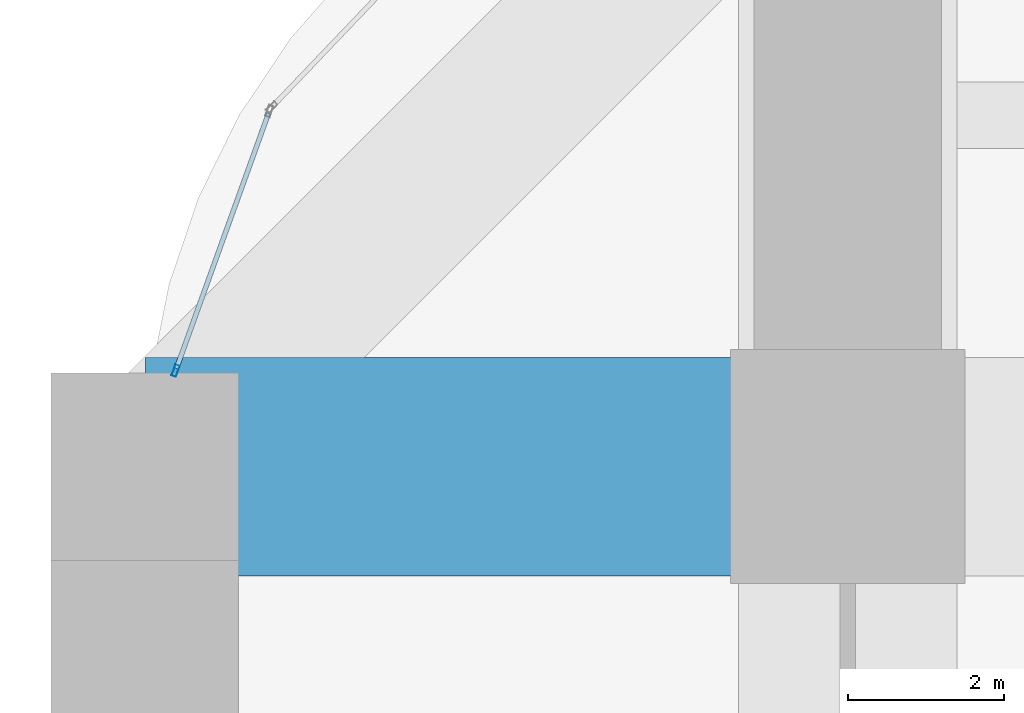
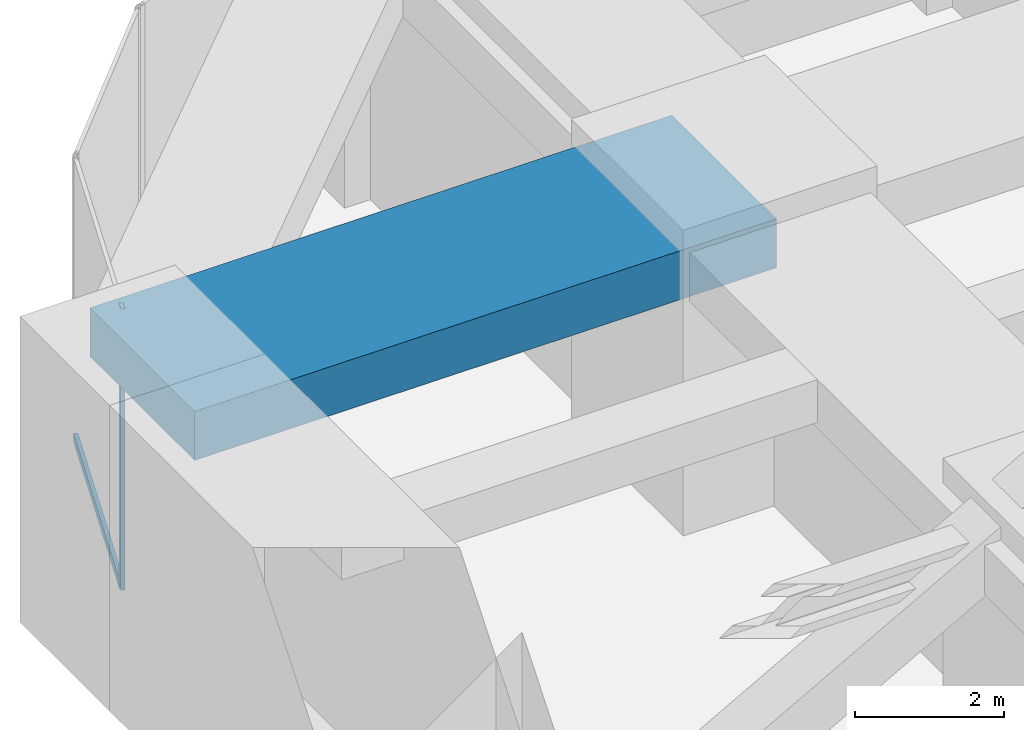
# One storey, part 21 of 35: 2 members, 1 beam, 1 element without a shape of its own.
"""IFC4 building model written with IfcOpenShell, lengths in metres."""

from ifc_helpers import new_model, si_unit, direction, frame, origin, origin_2d, place, context, subcontext, project, spatial, rectangle, hollow_rectangle, extrude, material, material_profile, profile_set, type_object, element, aggregate, save


model = new_model("IFC4")

# Units and contexts
model_context = context("Model", 3, precision=1e-05, world=origin(), true_north=direction((0.0, 1.0)))
body_context = subcontext(model_context, "Body", "Model", "MODEL_VIEW")
ifc_project = project(units=[si_unit("LENGTHUNIT", "METRE"), si_unit("AREAUNIT", "SQUARE_METRE"), si_unit("VOLUMEUNIT", "CUBIC_METRE"), si_unit("PLANEANGLEUNIT", "RADIAN"), si_unit("MASSUNIT", "GRAM", prefix="KILO")], contexts=[model_context])

# Site, building, storey
site_placement = place(None, origin())
site = spatial("IfcSite", under=ifc_project, at=site_placement, CompositionType="ELEMENT")
building_placement = place(site_placement, origin())
building = spatial("IfcBuilding", under=site, at=building_placement, Name="Zorevar Civic Tower", CompositionType="ELEMENT")
storey_placement = place(building_placement, frame((0.0, 0.0, 80.0)))
storey = spatial("IfcBuildingStorey", under=building, at=storey_placement, Name="L19", CompositionType="ELEMENT", Elevation=80.0)

# Beam
ifc_material_1 = material(Name="Concrete C50/60", Category="concrete")
ifc_material_profile_1 = material_profile(ifc_material_1, rectangle(XDim=2.800048828125, YDim=0.800048828125, at=origin_2d()), Name="RC 2800x800")
ifc_profile_set_1 = profile_set([ifc_material_profile_1], Name="Concrete C50/60")
beam_type = type_object("IfcBeamType", Name="Beam RC 2800x800", PredefinedType="BEAM", material=ifc_profile_set_1)
beam_placement = place(storey_placement, frame((0.0, 45.0, 4.199951171875), z_axis=(1.0, 0.0, 0.0), x_axis=(0.0, 1.0, 0.0)))
element("IfcBeam", 1, at=beam_placement, inside=storey, type_object=beam_type, Name="Girder L20", PredefinedType="BEAM", context=body_context, shape_type="SweptSolid", body=[
    extrude(rectangle(XDim=2.800048828125, YDim=0.800048828125, at=origin_2d()), origin(), (0.0, 0.0, 1.0), 9.0),
])

# Curtain wall, members
ifc_material_2 = material(Name="Black aluminium louvres", Category="aluminium")
curtain_wall_type = type_object("IfcCurtainWallType", Name="Louvred curtain wall CW6 refuge", PredefinedType="NOTDEFINED", material=ifc_material_2)
curtain_wall_placement = place(storey_placement, origin())
curtain_wall = element("IfcCurtainWall", 2, at=curtain_wall_placement, inside=storey, type_object=curtain_wall_type, Name="CW6 L19", PredefinedType="NOTDEFINED")
ifc_material_3 = material(Name="Aluminium, black anodised", Category="aluminium")
ifc_material_profile_2 = material_profile(ifc_material_3, hollow_rectangle(XDim=0.06005859375, YDim=0.14990234375, WallThickness=0.00390625, at=origin_2d()), Name="AL 150x60x4")
ifc_profile_set_2 = profile_set([ifc_material_profile_2], Name="Aluminium, black anodised")
member_type_1 = type_object("IfcMemberType", Name="CW6 mullion AL 150x60x4", PredefinedType="MULLION", material=ifc_profile_set_2)
member_1_placement = place(storey_placement, frame((0.393310546875, 46.228271484375, 0.0), z_axis=(0.0, 0.0, 1.0), x_axis=(0.940636829761, -0.339414723454, 0.0)))
member_1 = element("IfcMember", 3, at=member_1_placement, type_object=member_type_1, Name="CW6 mullion 2", PredefinedType="MULLION", context=body_context, shape_type="SweptSolid", body=[
    extrude(hollow_rectangle(XDim=0.06005859375, YDim=0.14990234375, WallThickness=0.00390625, at=origin_2d()), origin(), (0.0, 0.0, 1.0), 4.60009765625),
])
ifc_material_4 = material(Name="Aluminium, black anodised", Category="aluminium")
ifc_material_profile_3 = material_profile(ifc_material_4, hollow_rectangle(XDim=0.06005859375, YDim=0.14990234375, WallThickness=0.00390625, at=origin_2d()), Name="AL 150x60x4")
ifc_profile_set_3 = profile_set([ifc_material_profile_3], Name="Aluminium, black anodised")
member_type_2 = type_object("IfcMemberType", Name="CW6 transom AL 150x60x4", PredefinedType="USERDEFINED", material=ifc_profile_set_3)
member_2_placement = place(storey_placement, frame((1.581787109375, 49.52197265625, 0.030029296875), z_axis=(-0.339381781019, -0.940648715894, 0.0), x_axis=(0.940648715894, -0.339381781019, 0.0)))
member_2 = element("IfcMember", 4, at=member_2_placement, type_object=member_type_2, Name="CW6 sill transom", ObjectType="TRANSOM", PredefinedType="USERDEFINED", context=body_context, shape_type="SweptSolid", body=[
    extrude(hollow_rectangle(XDim=0.06005859375, YDim=0.14990234375, WallThickness=0.00390625, at=origin_2d()), origin(), (0.0, 0.0, 1.0), 3.4716796875),
])
aggregate(curtain_wall, [member_1, member_2])

save(model, "model.ifc")
